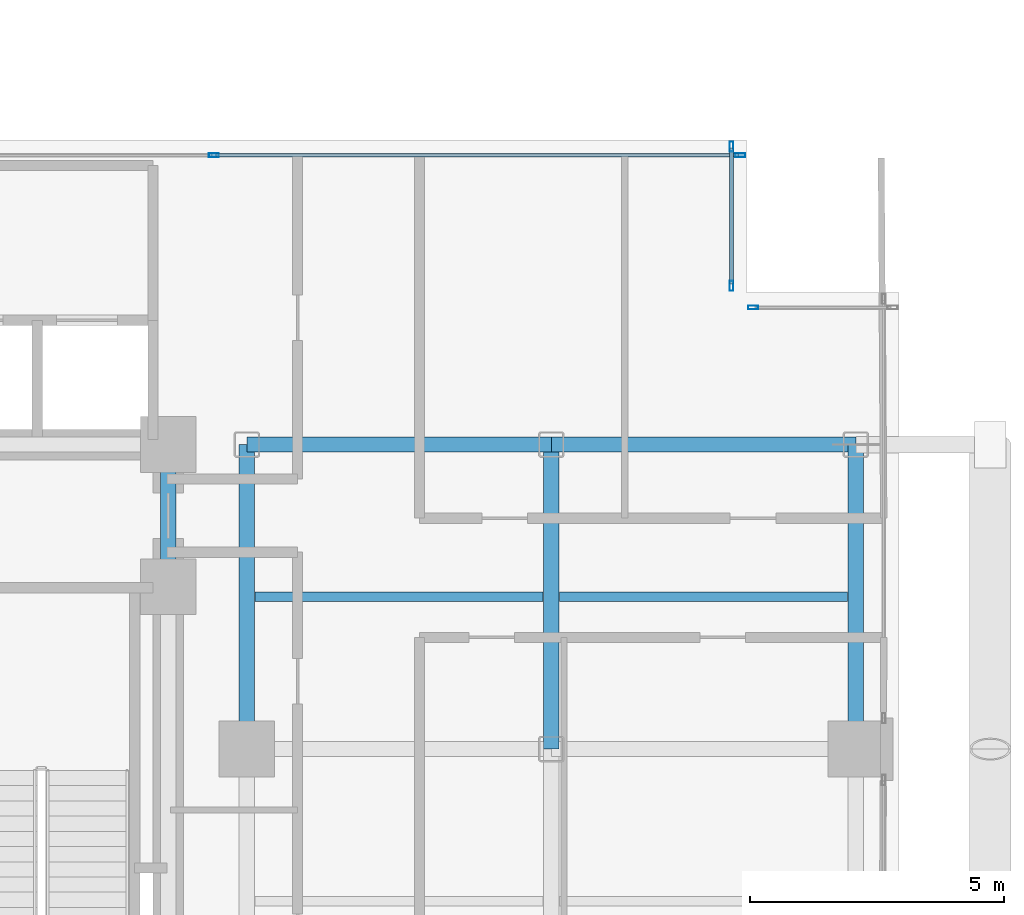
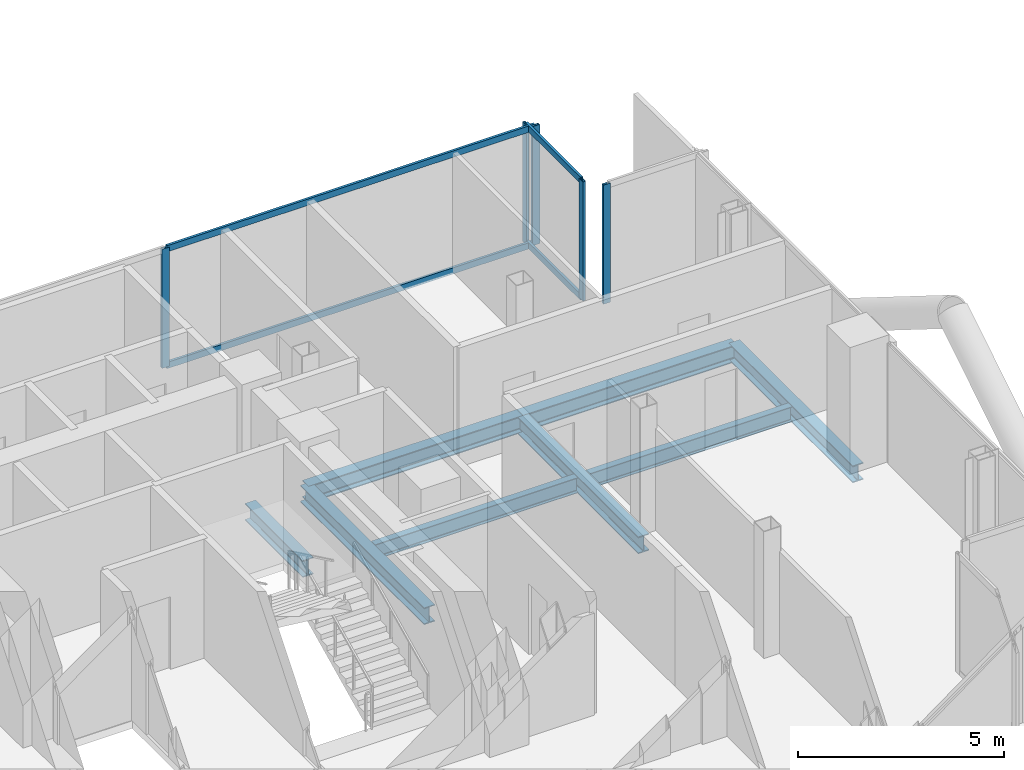
# One storey, part 13 of 28: 9 members, 8 beams, 3 elements without a shape of their own.
"""IFC4 building model written with IfcOpenShell, lengths in metres."""

import ifcopenshell
import ifcopenshell.guid

model = None  # the IFC model being written
_history = None  # IfcOwnerHistory: only IFC2X3 demands one
_inside = {}  # id of a spatial element -> (the spatial element, [elements in it])
_under = {}  # id of a project, library or spatial element -> (it, [spatial elements below it])
_declared = {}  # id of a project -> (the project, [libraries it declares])
_typed = {}  # id of a type object -> (the type object, [elements of that type])
_made_of = {}  # id of a material, layer set ... -> (it, [elements and type objects made of it])


def new_model(schema):
    """Start an empty IFC model of exactly this schema.

    Asked for "IFC4X3", IfcOpenShell would pick the latest addendum, in which some entities
    have other attributes; the version numbers below select the first issue.
    IFC2X3 requires an IfcOwnerHistory on every rooted entity: one is made here for all.
    """
    global model, _history
    if schema == "IFC4X3":
        model = ifcopenshell.file(schema_version=(4, 3, 0, 0))
    else:
        model = ifcopenshell.file(schema=schema)
    _inside.clear()
    _under.clear()
    _declared.clear()
    _typed.clear()
    _made_of.clear()
    _history = None
    if model.schema == "IFC2X3":
        org = make("IfcOrganization", Name="unknown")
        user = make(
            "IfcPersonAndOrganization",
            ThePerson=make("IfcPerson", FamilyName="unknown"),
            TheOrganization=org,
        )
        app = make(
            "IfcApplication",
            ApplicationDeveloper=org,
            Version="unknown",
            ApplicationFullName="unknown",
            ApplicationIdentifier="unknown",
        )
        _history = make(
            "IfcOwnerHistory",
            OwningUser=user,
            OwningApplication=app,
            ChangeAction="ADDED",
            CreationDate=0,
        )
    return model


def make(cls, **values):
    """One entity of the class cls with the attributes given. An attribute that is None is left unset."""
    return model.create_entity(
        cls, **{name: value for name, value in values.items() if value is not None}
    )


def rooted(cls, **values):
    """An entity with a GlobalId (a new one), such as an element, a storey or a relation."""
    return make(cls, GlobalId=ifcopenshell.guid.new(), OwnerHistory=_history, **values)


def si_unit(unit_type, name, prefix=None):
    """IfcSIUnit, for example si_unit("LENGTHUNIT", "METRE", prefix="MILLI")."""
    return make("IfcSIUnit", UnitType=unit_type, Prefix=prefix, Name=name)


def assignment(units):
    """IfcUnitAssignment: the units of a project."""
    return None if units is None else make("IfcUnitAssignment", Units=units)


def point(xyz):
    """IfcCartesianPoint."""
    return None if xyz is None else make("IfcCartesianPoint", Coordinates=xyz)


def direction(xyz):
    """IfcDirection."""
    return None if xyz is None else make("IfcDirection", DirectionRatios=xyz)


def frame(location, z_axis=None, x_axis=None):
    """IfcAxis2Placement3D, a coordinate frame: its origin and axes. An axis left out is left unset."""
    return make(
        "IfcAxis2Placement3D",
        Location=point(location),
        Axis=direction(z_axis),
        RefDirection=direction(x_axis),
    )


def frame_2d(location, x_axis=None):
    """IfcAxis2Placement2D, a coordinate frame in the plane: its origin and x axis."""
    return make(
        "IfcAxis2Placement2D", Location=point(location), RefDirection=direction(x_axis)
    )


def origin():
    """The frame at (0, 0, 0) with its axes left unset."""
    return frame((0.0, 0.0, 0.0))


def origin_2d():
    """The frame at (0, 0) in the plane with its x axis left unset."""
    return frame_2d((0.0, 0.0))


def place(relative_to, where):
    """IfcLocalPlacement: puts the frame where relative to a parent placement (None: the world)."""
    return make(
        "IfcLocalPlacement", PlacementRelTo=relative_to, RelativePlacement=where
    )


def context(
    kind, dimensions, precision=None, world=None, true_north=None, identifier=None
):
    """IfcGeometricRepresentationContext, for example the 3D "Model" context."""
    return make(
        "IfcGeometricRepresentationContext",
        ContextIdentifier=identifier,
        ContextType=kind,
        CoordinateSpaceDimension=dimensions,
        Precision=precision,
        WorldCoordinateSystem=world,
        TrueNorth=true_north,
    )


def subcontext(parent, identifier, kind, view, scale=None):
    """IfcGeometricRepresentationSubContext, for example "Body" below "Model"."""
    return make(
        "IfcGeometricRepresentationSubContext",
        ContextIdentifier=identifier,
        ContextType=kind,
        ParentContext=parent,
        TargetScale=scale,
        TargetView=view,
    )


def project(units=None, contexts=None):
    """IfcProject with its units and contexts."""
    return rooted(
        "IfcProject",
        Name="project",
        RepresentationContexts=contexts,
        UnitsInContext=assignment(units),
    )


def spatial(cls, under=None, at=None, **own):
    """A site, building, storey or space (cls), placed at a placement, below another one or the project."""
    s = rooted(cls, ObjectPlacement=at, **own)
    if under is not None:
        _under.setdefault(under.id(), (under, []))[1].append(s)
    return s


def profile(cls, at=None, kind="AREA", **sizes):
    """A parametric profile (cls). Its sizes go by their IFC names, for example OverallWidth=200.0."""
    return make(cls, ProfileType=kind, Position=at, **sizes)


def hollow_rectangle(**sizes):
    """IfcRectangleHollowProfileDef."""
    return profile("IfcRectangleHollowProfileDef", **sizes)


def i_section(**sizes):
    """IfcIShapeProfileDef."""
    return profile("IfcIShapeProfileDef", **sizes)


def extrude(swept, where, along, depth):
    """IfcExtrudedAreaSolid: the profile swept, set in the frame where, extruded along a direction by depth."""
    return make(
        "IfcExtrudedAreaSolid",
        SweptArea=swept,
        Position=where,
        ExtrudedDirection=direction(along),
        Depth=depth,
    )


def shape(context_of_items, identifier, shape_type, items):
    """IfcShapeRepresentation: the items that make up one representation, for example the "Body"."""
    return make(
        "IfcShapeRepresentation",
        ContextOfItems=context_of_items,
        RepresentationIdentifier=identifier,
        RepresentationType=shape_type,
        Items=items,
    )


def material(Name=None, Category=None):
    """IfcMaterial."""
    return make("IfcMaterial", Name=Name, Category=Category)


def layer(
    of_material, thickness, ventilated=None, Name=None, Category=None, Priority=None
):
    """IfcMaterialLayer: one layer of a wall or slab, of a material (None: an air gap)."""
    return make(
        "IfcMaterialLayer",
        Material=of_material,
        LayerThickness=thickness,
        IsVentilated=ventilated,
        Name=Name,
        Category=Category,
        Priority=Priority,
    )


def layer_set(layers, Name=None):
    """IfcMaterialLayerSet."""
    return make("IfcMaterialLayerSet", MaterialLayers=layers, LayerSetName=Name)


def material_profile(
    of_material, cross_section, Name=None, Category=None, Priority=None
):
    """IfcMaterialProfile: a cross section and its material."""
    return make(
        "IfcMaterialProfile",
        Name=Name,
        Material=of_material,
        Profile=cross_section,
        Priority=Priority,
        Category=Category,
    )


def profile_set(profiles, Name=None, composite=None):
    """IfcMaterialProfileSet."""
    return make(
        "IfcMaterialProfileSet",
        Name=Name,
        MaterialProfiles=profiles,
        CompositeProfile=composite,
    )


def made_of(thing, what):
    """Note that an element or type object is made of a material, layer set ...; save() writes the relation."""
    if what is not None:
        _made_of.setdefault(what.id(), (what, []))[1].append(thing)
    return thing


def type_object(cls, material=None, **own):
    """A type object (cls), such as IfcWallType, which elements share."""
    return made_of(rooted(cls, **own), material)


def element(
    cls,
    number,
    at=None,
    inside=None,
    cuts=None,
    type_object=None,
    material=None,
    context=None,
    identifier="Body",
    shape_type=None,
    held_by="IfcProductDefinitionShape",
    body=None,
    shapes=None,
    **own,
):
    """One element of the class cls, such as IfcWall. Its Tag is "e" and its number.

    at: its placement. inside: the storey or other place that contains it. cuts: it is an
    opening in that element (IfcRelVoidsElement). A single representation is given by context,
    identifier, shape_type and body (its items); several are given by shapes. held_by: the class
    of the entity that holds the representations. save() writes the other relations.
    """
    e = rooted(cls, Tag="e%d" % number, ObjectPlacement=at, **own)
    if body is not None:
        shapes = [shape(context, identifier, shape_type, body)]
    if shapes is not None:
        e.Representation = make(held_by, Representations=shapes)
    if inside is not None:
        _inside.setdefault(inside.id(), (inside, []))[1].append(e)
    if cuts is not None:
        rooted(
            "IfcRelVoidsElement", RelatingBuildingElement=cuts, RelatedOpeningElement=e
        )
    if type_object is not None:
        _typed.setdefault(type_object.id(), (type_object, []))[1].append(e)
    return made_of(e, material)


def aggregate(whole, parts):
    """IfcRelAggregates: a whole, such as a stair, and the parts it consists of."""
    return rooted("IfcRelAggregates", RelatingObject=whole, RelatedObjects=parts)


def save(model, path):
    """Write the relations noted so far, then the file.

    IfcRelAggregates (storeys below a building ...), IfcRelContainedInSpatialStructure (elements
    in a storey), IfcRelDefinesByType, IfcRelAssociatesMaterial and IfcRelDeclares: one each for
    every whole, place, type object, material and project.
    """
    for whole, parts in _under.values():
        aggregate(whole, parts)
    for where, things in _inside.values():
        rooted(
            "IfcRelContainedInSpatialStructure",
            RelatedElements=things,
            RelatingStructure=where,
        )
    for kind, things in _typed.values():
        rooted("IfcRelDefinesByType", RelatedObjects=things, RelatingType=kind)
    for what, things in _made_of.values():
        rooted("IfcRelAssociatesMaterial", RelatedObjects=things, RelatingMaterial=what)
    for by, libraries in _declared.values():
        rooted("IfcRelDeclares", RelatingContext=by, RelatedDefinitions=libraries)
    model.write(path)


model = new_model("IFC4")

# Units and contexts
model_context = context("Model", 3, precision=1e-05, world=origin(), true_north=direction((0.0, 1.0)))
body_context = subcontext(model_context, "Body", "Model", "MODEL_VIEW")
ifc_project = project(units=[si_unit("LENGTHUNIT", "METRE"), si_unit("AREAUNIT", "SQUARE_METRE"), si_unit("VOLUMEUNIT", "CUBIC_METRE"), si_unit("PLANEANGLEUNIT", "RADIAN"), si_unit("MASSUNIT", "GRAM", prefix="KILO"), si_unit("THERMODYNAMICTEMPERATUREUNIT", "KELVIN"), si_unit("POWERUNIT", "WATT")], contexts=[model_context])

# Site, building, storey
site_placement = place(None, origin())
site = spatial("IfcSite", under=ifc_project, at=site_placement, CompositionType="ELEMENT")
building_placement = place(site_placement, origin())
building = spatial("IfcBuilding", under=site, at=building_placement, Name="Svarakhadi Broadcast Tower", CompositionType="ELEMENT")
storey_placement = place(building_placement, frame((0.0, 0.0, 149.39990234375)))
storey = spatial("IfcBuildingStorey", under=building, at=storey_placement, Name="L36", CompositionType="ELEMENT", Elevation=149.39990234375)

# Beams
ifc_material_1 = material(Name="Steel S355J2 (IS 2062 E350C)", Category="steel")
ifc_material_profile_1 = material_profile(ifc_material_1, i_section(OverallWidth=0.18994140625, OverallDepth=0.449951171875, WebThickness=0.009521484375, FlangeThickness=0.0146484375, FilletRadius=0.02099609375, at=origin_2d()), Name="NPB 450x190x78")
ifc_profile_set_1 = profile_set([ifc_material_profile_1], Name="Steel S355J2 (IS 2062 E350C)")
beam_type_1 = type_object("IfcBeamType", Name="Beam_NPB450", PredefinedType="BEAM", material=ifc_profile_set_1)
for number, where, z_axis, x_axis, name in (
    (1, (35.31005859375, 15.0, -0.449951171875), (1.0, 0.0, 0.0), (0.0, 1.0, 0.0), "L36 Secondary Composite Beam SB021"),
    (2, (41.31005859375, 15.0, -0.449951171875), (1.0, 0.0, 0.0), (0.0, 1.0, 0.0), "L36 Secondary Composite Beam SB023"),
):
    element("IfcBeam", number, at=place(storey_placement, frame(where, z_axis=z_axis, x_axis=x_axis)), inside=storey, type_object=beam_type_1, Name=name, PredefinedType="BEAM", context=body_context, shape_type="SweptSolid", body=[
        extrude(i_section(OverallWidth=0.18994140625, OverallDepth=0.449951171875, WebThickness=0.009521484375, FlangeThickness=0.0146484375, FilletRadius=0.02099609375, at=origin_2d()), origin(), (0.0, 0.0, 1.0), 5.679931640625),
    ])

# Curtain wall, members
ifc_material_2 = material(Name="Anodised Bronze Aluminium AA 6063-T6", Category="aluminium")
ifc_layer = layer(ifc_material_2, 0.199951171875)
ifc_layer_set = layer_set([ifc_layer], Name="Anodised Bronze Aluminium AA 6063-T6")
curtain_wall_type = type_object("IfcCurtainWallType", Name="CW_Sys_03", PredefinedType="NOTDEFINED", material=ifc_layer_set)
curtain_wall_1_placement = place(storey_placement, origin())
curtain_wall_1 = element("IfcCurtainWall", 3, at=curtain_wall_1_placement, inside=storey, type_object=curtain_wall_type, Name="L36 Unitised Facade Curtain Wall 10", PredefinedType="NOTDEFINED")
ifc_material_profile_2 = material_profile(ifc_material_2, hollow_rectangle(XDim=0.074951171875, YDim=0.199951171875, WallThickness=0.005615234375, at=origin_2d()), Name="ALU MULLION 200x75x6")
ifc_profile_set_2 = profile_set([ifc_material_profile_2], Name="Anodised Bronze Aluminium AA 6063-T6")
member_type_1 = type_object("IfcMemberType", Name="CW_Sys_03_Mul", PredefinedType="MULLION", material=ifc_profile_set_2)
member_1_placement = place(storey_placement, frame((34.5, 23.699951171875, 0.0), z_axis=(0.0, 0.0, 1.0), x_axis=(0.0, 1.0, 0.0)))
member_1 = element("IfcMember", 4, at=member_1_placement, type_object=member_type_1, Name="CW-03 mullion 2", PredefinedType="MULLION", context=body_context, shape_type="SweptSolid", body=[
    extrude(hollow_rectangle(XDim=0.074951171875, YDim=0.199951171875, WallThickness=0.005615234375, at=origin_2d()), origin(), (0.0, 0.0, 1.0), 3.525146484375),
])
member_2_placement = place(storey_placement, frame((44.87255859375, 23.699951171875, 0.0), z_axis=(0.0, 0.0, 1.0), x_axis=(0.0, 1.0, 0.0)))
member_2 = element("IfcMember", 5, at=member_2_placement, type_object=member_type_1, Name="CW-03 mullion 3", PredefinedType="MULLION", context=body_context, shape_type="SweptSolid", body=[
    extrude(hollow_rectangle(XDim=0.074951171875, YDim=0.199951171875, WallThickness=0.005615234375, at=origin_2d()), origin(), (0.0, 0.0, 1.0), 3.525146484375),
])

curtain_wall_2_placement = place(storey_placement, origin())
curtain_wall_2 = element("IfcCurtainWall", 6, at=curtain_wall_2_placement, inside=storey, type_object=curtain_wall_type, Name="L36 Unitised Facade Curtain Wall 11", PredefinedType="NOTDEFINED")
member_3_placement = place(storey_placement, frame((44.699951171875, 23.87255859375, 0.0), z_axis=(0.0, 0.0, 1.0), x_axis=(1.0, 0.0, 0.0)))
member_3 = element("IfcMember", 7, at=member_3_placement, type_object=member_type_1, Name="CW-03 mullion 1", PredefinedType="MULLION", context=body_context, shape_type="SweptSolid", body=[
    extrude(hollow_rectangle(XDim=0.074951171875, YDim=0.199951171875, WallThickness=0.005615234375, at=origin_2d()), origin(), (0.0, 0.0, 1.0), 3.525146484375),
])
member_4_placement = place(storey_placement, frame((44.699951171875, 21.12744140625, 0.0), z_axis=(0.0, 0.0, 1.0), x_axis=(1.0, 0.0, 0.0)))
member_4 = element("IfcMember", 8, at=member_4_placement, type_object=member_type_1, Name="CW-03 mullion 2", PredefinedType="MULLION", context=body_context, shape_type="SweptSolid", body=[
    extrude(hollow_rectangle(XDim=0.074951171875, YDim=0.199951171875, WallThickness=0.005615234375, at=origin_2d()), origin(), (0.0, 0.0, 1.0), 3.525146484375),
])

# Curtain wall, member
curtain_wall_3_placement = place(storey_placement, origin())
curtain_wall_3 = element("IfcCurtainWall", 9, at=curtain_wall_3_placement, inside=storey, type_object=curtain_wall_type, Name="L36 Unitised Facade Curtain Wall 12", PredefinedType="NOTDEFINED")
member_5_placement = place(storey_placement, frame((45.12744140625, 20.699951171875, 0.0), z_axis=(0.0, 0.0, 1.0), x_axis=(0.0, 1.0, 0.0)))
member_5 = element("IfcMember", 10, at=member_5_placement, type_object=member_type_1, Name="CW-03 mullion 1", PredefinedType="MULLION", context=body_context, shape_type="SweptSolid", body=[
    extrude(hollow_rectangle(XDim=0.074951171875, YDim=0.199951171875, WallThickness=0.005615234375, at=origin_2d()), origin(), (0.0, 0.0, 1.0), 3.525146484375),
])
aggregate(curtain_wall_3, [member_5])

# Member
ifc_material_profile_3 = material_profile(ifc_material_2, hollow_rectangle(XDim=0.070068359375, YDim=0.18505859375, WallThickness=0.0048828125, at=origin_2d()), Name="ALU TRANSOM 185x70x5")
ifc_profile_set_3 = profile_set([ifc_material_profile_3], Name="Anodised Bronze Aluminium AA 6063-T6")
member_type_2 = type_object("IfcMemberType", Name="CW_Sys_03_Trn", PredefinedType="USERDEFINED", material=ifc_profile_set_3)
member_6_placement = place(storey_placement, frame((34.53759765625, 23.699951171875, 0.03515625), z_axis=(1.0, 0.0, 0.0), x_axis=(0.0, 1.0, 0.0)))
member_6 = element("IfcMember", 11, at=member_6_placement, type_object=member_type_2, Name="CW-03 transom 2.1", ObjectType="TRANSOM", PredefinedType="USERDEFINED", context=body_context, shape_type="SweptSolid", body=[
    extrude(hollow_rectangle(XDim=0.070068359375, YDim=0.18505859375, WallThickness=0.0048828125, at=origin_2d()), origin(), (0.0, 0.0, 1.0), 10.29736328125),
])

member_7_placement = place(storey_placement, frame((34.53759765625, 23.699951171875, 3.489990234375), z_axis=(1.0, 0.0, 0.0), x_axis=(0.0, 1.0, 0.0)))
member_7 = element("IfcMember", 12, at=member_7_placement, type_object=member_type_2, Name="CW-03 transom 2.2", ObjectType="TRANSOM", PredefinedType="USERDEFINED", context=body_context, shape_type="SweptSolid", body=[
    extrude(hollow_rectangle(XDim=0.070068359375, YDim=0.18505859375, WallThickness=0.0048828125, at=origin_2d()), origin(), (0.0, 0.0, 1.0), 10.29736328125),
])

aggregate(curtain_wall_1, [member_1, member_2, member_6, member_7])

member_8_placement = place(storey_placement, frame((44.699951171875, 23.8349609375, 0.03515625), z_axis=(0.0, -1.0, 0.0), x_axis=(1.0, 0.0, 0.0)))
member_8 = element("IfcMember", 13, at=member_8_placement, type_object=member_type_2, Name="CW-03 transom 1.1", ObjectType="TRANSOM", PredefinedType="USERDEFINED", context=body_context, shape_type="SweptSolid", body=[
    extrude(hollow_rectangle(XDim=0.070068359375, YDim=0.18505859375, WallThickness=0.0048828125, at=origin_2d()), origin(), (0.0, 0.0, 1.0), 2.669921875),
])

member_9_placement = place(storey_placement, frame((44.699951171875, 23.8349609375, 3.489990234375), z_axis=(0.0, -1.0, 0.0), x_axis=(1.0, 0.0, 0.0)))
member_9 = element("IfcMember", 14, at=member_9_placement, type_object=member_type_2, Name="CW-03 transom 1.2", ObjectType="TRANSOM", PredefinedType="USERDEFINED", context=body_context, shape_type="SweptSolid", body=[
    extrude(hollow_rectangle(XDim=0.070068359375, YDim=0.18505859375, WallThickness=0.0048828125, at=origin_2d()), origin(), (0.0, 0.0, 1.0), 2.669921875),
])

aggregate(curtain_wall_2, [member_3, member_4, member_8, member_9])

# Beams
ifc_material_profile_4 = material_profile(ifc_material_1, i_section(OverallWidth=0.300048828125, OverallDepth=0.5, WebThickness=0.014404296875, FlangeThickness=0.028076171875, FilletRadius=0.027099609375, at=origin_2d()), Name="WPB 500x300x187")
ifc_profile_set_4 = profile_set([ifc_material_profile_4], Name="Steel S355J2 (IS 2062 E350C)")
beam_type_2 = type_object("IfcBeamType", Name="Girder_WPB500", PredefinedType="USERDEFINED", material=ifc_profile_set_4)
for number, where, z_axis, x_axis, name in (
    (15, (35.14990234375, 18.0, -0.474853515625), (1.0, 0.0, 0.0), (0.0, 1.0, 0.0), "L36 Primary E-W Girder G028"),
    (16, (41.14990234375, 18.0, -0.474853515625), (1.0, 0.0, 0.0), (0.0, 1.0, 0.0), "L36 Primary E-W Girder G029"),
):
    element("IfcBeam", number, at=place(storey_placement, frame(where, z_axis=z_axis, x_axis=x_axis)), inside=storey, type_object=beam_type_2, Name=name, ObjectType="GIRDER", PredefinedType="USERDEFINED", context=body_context, shape_type="SweptSolid", body=[
        extrude(i_section(OverallWidth=0.300048828125, OverallDepth=0.5, WebThickness=0.014404296875, FlangeThickness=0.028076171875, FilletRadius=0.027099609375, at=origin_2d()), origin(), (0.0, 0.0, 1.0), 6.0),
    ])
beam_placement = place(storey_placement, frame((33.60009765625, 15.199951171875, -0.474853515625), z_axis=(0.0, 1.0, 0.0), x_axis=(-1.0, 0.0, 0.0)))
element("IfcBeam", 17, at=beam_placement, inside=storey, type_object=beam_type_2, Name="L36 Primary N-S Girder G066", ObjectType="GIRDER", PredefinedType="USERDEFINED", context=body_context, shape_type="SweptSolid", body=[
    extrude(i_section(OverallWidth=0.300048828125, OverallDepth=0.5, WebThickness=0.014404296875, FlangeThickness=0.028076171875, FilletRadius=0.027099609375, at=origin_2d()), origin(), (0.0, 0.0, 1.0), 2.800048828125),
])
for number, where, z_axis, x_axis, name in (
    (18, (35.14990234375, 12.0, -0.474853515625), (0.0, 1.0, 0.0), (-1.0, 0.0, 0.0), "L36 Primary N-S Girder G069"),
    (19, (41.14990234375, 12.0, -0.474853515625), (0.0, 1.0, 0.0), (-1.0, 0.0, 0.0), "L36 Primary N-S Girder G072"),
    (20, (47.14990234375, 12.0, -0.474853515625), (0.0, 1.0, 0.0), (-1.0, 0.0, 0.0), "L36 Primary N-S Girder G074"),
):
    element("IfcBeam", number, at=place(storey_placement, frame(where, z_axis=z_axis, x_axis=x_axis)), inside=storey, type_object=beam_type_2, Name=name, ObjectType="GIRDER", PredefinedType="USERDEFINED", context=body_context, shape_type="SweptSolid", body=[
        extrude(i_section(OverallWidth=0.300048828125, OverallDepth=0.5, WebThickness=0.014404296875, FlangeThickness=0.028076171875, FilletRadius=0.027099609375, at=origin_2d()), origin(), (0.0, 0.0, 1.0), 6.0),
    ])

save(model, "model.ifc")
